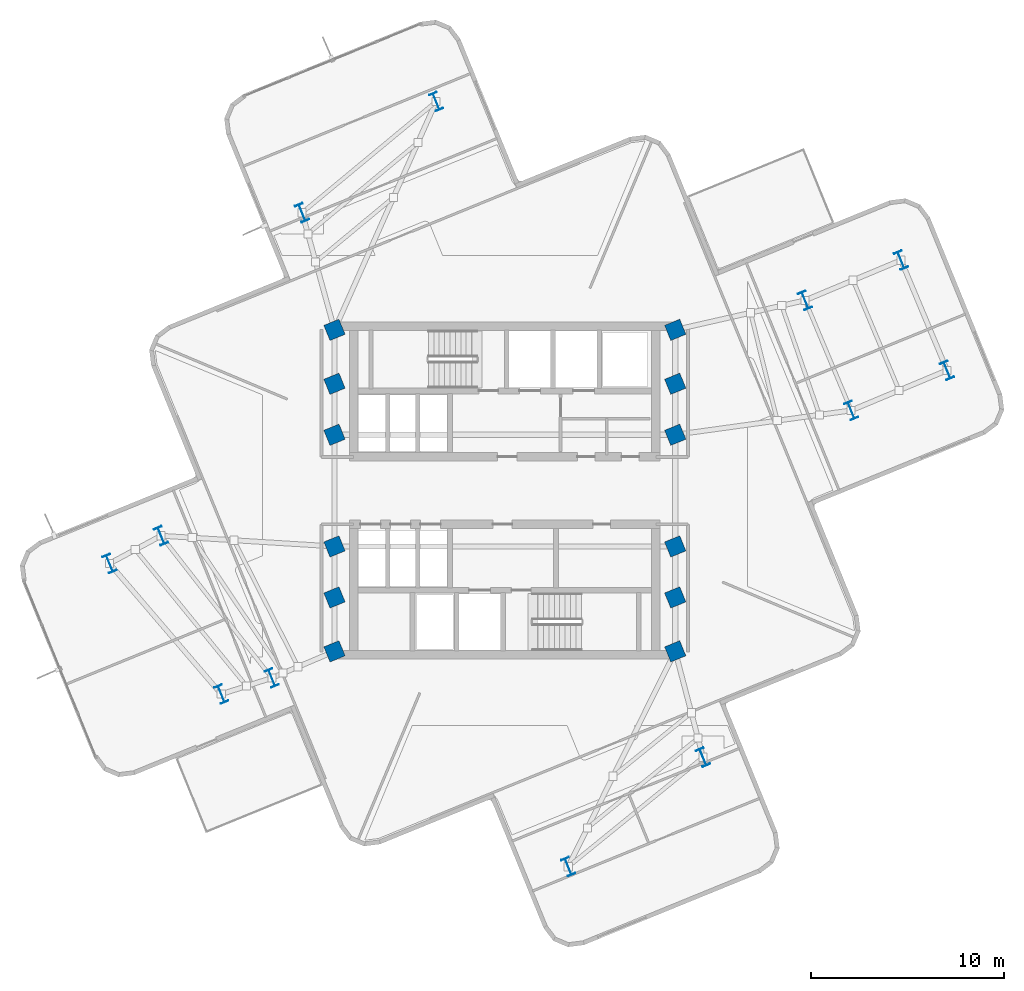
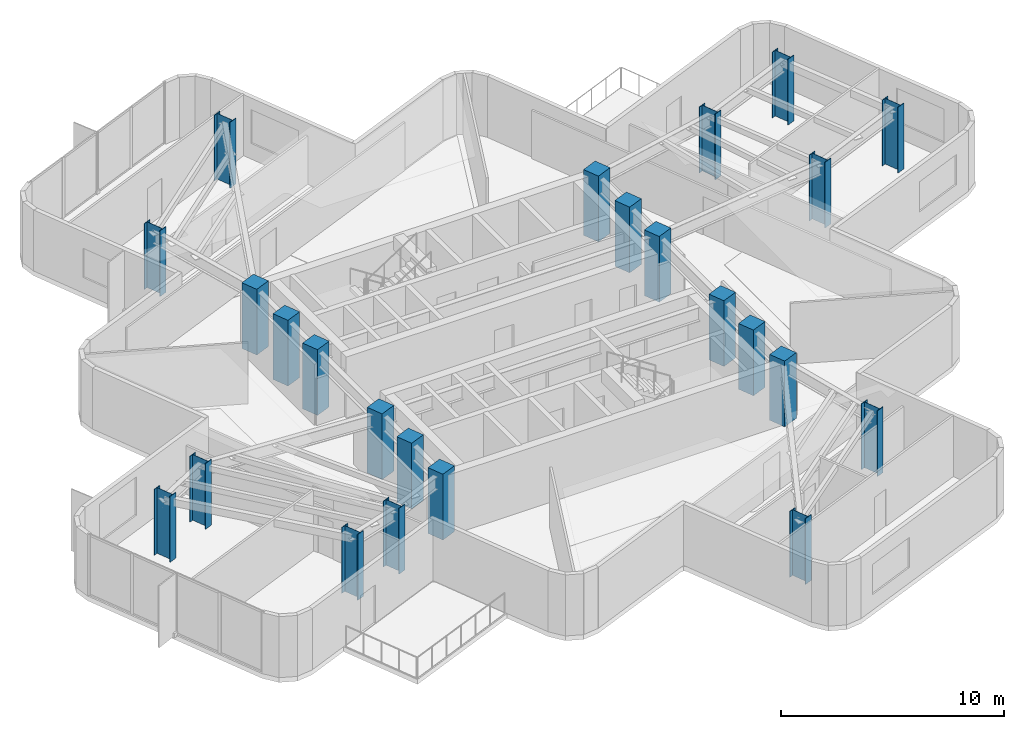
# One storey, part 1 of 11: 24 columns.
"""IFC4 building model written with IfcOpenShell, lengths in metres."""

from ifc_helpers import new_model, si_unit, direction, frame, origin, origin_2d, place, context, subcontext, project, spatial, rectangle, i_section, extrude, material, material_profile, profile_set, type_object, element, save


model = new_model("IFC4")

# Units and contexts
model_context = context("Model", 3, precision=1e-05, world=origin(), true_north=direction((0.0, 1.0)))
body_context = subcontext(model_context, "Body", "Model", "MODEL_VIEW")
ifc_project = project(units=[si_unit("LENGTHUNIT", "METRE"), si_unit("AREAUNIT", "SQUARE_METRE"), si_unit("VOLUMEUNIT", "CUBIC_METRE"), si_unit("PLANEANGLEUNIT", "RADIAN"), si_unit("MASSUNIT", "GRAM", prefix="KILO")], contexts=[model_context])

# Site, building, storey
site_placement = place(None, origin())
site = spatial("IfcSite", under=ifc_project, at=site_placement, CompositionType="ELEMENT")
building_placement = place(site_placement, origin())
building = spatial("IfcBuilding", under=site, at=building_placement, Name="Solmarez Civic Tower", CompositionType="ELEMENT")
storey_placement = place(building_placement, frame((0.0, 0.0, 177.47998046875)))
storey = spatial("IfcBuildingStorey", under=building, at=storey_placement, Name="L47", CompositionType="ELEMENT", Elevation=177.47998046875)

# Columns
ifc_material_1 = material(Name="Concrete C50/60", Category="concrete")
ifc_material_profile_1 = material_profile(ifc_material_1, rectangle(XDim=0.85009765625, YDim=0.85009765625, at=origin_2d()), Name="RC850X850")
ifc_profile_set_1 = profile_set([ifc_material_profile_1], Name="Concrete C50/60")
column_type_1 = type_object("IfcColumnType", Name="COL-RC850", PredefinedType="COLUMN", material=ifc_profile_set_1)
for number, where, z_axis, x_axis, name in (
    (1, (-8.85009765625, -5.550048828125, 0.0), (0.0, 0.0, 1.0), (0.92587058481, 0.377840786818, 0.0), "L47 Structural Column HC1"),
    (2, (-8.85009765625, -2.89990234375, 0.0), (0.0, 0.0, 1.0), (0.92587058481, 0.377840786818, 0.0), "L47 Structural Column HC2"),
    (3, (-8.85009765625, 2.89990234375, 0.0), (0.0, 0.0, 1.0), (0.92587058481, 0.377840786818, 0.0), "L47 Structural Column HC3"),
    (4, (-8.85009765625, 5.550048828125, 0.0), (0.0, 0.0, 1.0), (0.92587058481, 0.377840786818, 0.0), "L47 Structural Column HC4"),
    (5, (8.85009765625, -5.550048828125, 0.0), (0.0, 0.0, 1.0), (0.92587058481, 0.377840786818, 0.0), "L47 Structural Column HC5"),
    (6, (8.85009765625, -2.89990234375, 0.0), (0.0, 0.0, 1.0), (0.92587058481, 0.377840786818, 0.0), "L47 Structural Column HC6"),
    (7, (8.85009765625, 2.89990234375, 0.0), (0.0, 0.0, 1.0), (0.92587058481, 0.377840786818, 0.0), "L47 Structural Column HC7"),
    (8, (8.85009765625, 5.550048828125, 0.0), (0.0, 0.0, 1.0), (0.92587058481, 0.377840786818, 0.0), "L47 Structural Column HC8"),
    (9, (-8.85009765625, 8.35009765625, 0.0), (0.0, 0.0, 1.0), (0.92587058481, 0.377840786818, 0.0), "L47 Structural Column HC9"),
    (10, (8.85009765625, -8.35009765625, 0.0), (0.0, 0.0, 1.0), (0.92587058481, 0.377840786818, 0.0), "L47 Structural Column HC10"),
    (11, (8.85009765625, 8.35009765625, 0.0), (0.0, 0.0, 1.0), (0.92587058481, 0.377840786818, 0.0), "L47 Structural Column HC11"),
    (12, (-8.85009765625, -8.35009765625, 0.0), (0.0, 0.0, 1.0), (0.92587058481, 0.377840786818, 0.0), "L47 Structural Column HC12"),
):
    element("IfcColumn", number, at=place(storey_placement, frame(where, z_axis=z_axis, x_axis=x_axis)), inside=storey, type_object=column_type_1, Name=name, PredefinedType="COLUMN", context=body_context, shape_type="SweptSolid", body=[
        extrude(rectangle(XDim=0.85009765625, YDim=0.85009765625, at=origin_2d()), origin(), (0.0, 0.0, 1.0), 3.60009765625),
    ])
ifc_material_2 = material(Name="Steel S355", Category="steel")
ifc_material_profile_2 = material_profile(ifc_material_2, i_section(OverallWidth=0.41796875, OverallDepth=0.927001953125, WebThickness=0.019287109375, FlangeThickness=0.031982421875, at=origin_2d()), Name="W36X231")
ifc_profile_set_2 = profile_set([ifc_material_profile_2], Name="Steel S355")
column_type_2 = type_object("IfcColumnType", Name="COL-W36X231", PredefinedType="COLUMN", material=ifc_profile_set_2)
for number, where, z_axis, x_axis, name in (
    (13, (17.987060546875, 4.1640625, 0.0), (0.0, 0.0, 1.0), (0.92587058481, 0.377840786818, 0.0), "L47 Structural Column EA11"),
    (14, (15.593994140625, 9.883056640625, 0.0), (0.0, 0.0, 1.0), (0.92587058481, 0.377840786818, 0.0), "L47 Structural Column EA12"),
    (15, (22.968017578125, 6.248046875, 0.0), (0.0, 0.0, 1.0), (0.92587058481, 0.377840786818, 0.0), "L47 Structural Column EA21"),
    (16, (20.575927734375, 11.967041015625, 0.0), (0.0, 0.0, 1.0), (0.92587058481, 0.377840786818, 0.0), "L47 Structural Column EA22"),
    (17, (-3.570068359375, 20.20703125, 0.0), (0.0, 0.0, 1.0), (0.92587058481, 0.377840786818, 0.0), "L47 Structural Column NA11"),
    (18, (-10.532958984375, 14.43310546875, 0.0), (0.0, 0.0, 1.0), (0.92587058481, 0.377840786818, 0.0), "L47 Structural Column NA12"),
    (19, (-17.85791015625, -2.345947265625, 0.0), (0.0, 0.0, 1.0), (0.92587058481, 0.377840786818, 0.0), "L47 Structural Column WA11"),
    (20, (-12.10595703125, -9.73095703125, 0.0), (0.0, 0.0, 1.0), (0.92587058481, 0.377840786818, 0.0), "L47 Structural Column WA12"),
    (21, (-20.534912109375, -3.7880859375, 0.0), (0.0, 0.0, 1.0), (0.92587058481, 0.377840786818, 0.0), "L47 Structural Column WA21"),
    (22, (-14.73095703125, -10.572998046875, 0.0), (0.0, 0.0, 1.0), (0.92587058481, 0.377840786818, 0.0), "L47 Structural Column WA22"),
    (23, (3.2900390625, -19.535888671875, 0.0), (0.0, 0.0, 1.0), (0.92587058481, 0.377840786818, 0.0), "L47 Structural Column SA11"),
    (24, (10.2900390625, -13.85009765625, 0.0), (0.0, 0.0, 1.0), (0.92587058481, 0.377840786818, 0.0), "L47 Structural Column SA12"),
):
    element("IfcColumn", number, at=place(storey_placement, frame(where, z_axis=z_axis, x_axis=x_axis)), inside=storey, type_object=column_type_2, Name=name, PredefinedType="COLUMN", context=body_context, shape_type="SweptSolid", body=[
        extrude(i_section(OverallWidth=0.41796875, OverallDepth=0.927001953125, WebThickness=0.019287109375, FlangeThickness=0.031982421875, at=origin_2d()), origin(), (0.0, 0.0, 1.0), 3.60009765625),
    ])

save(model, "model.ifc")
